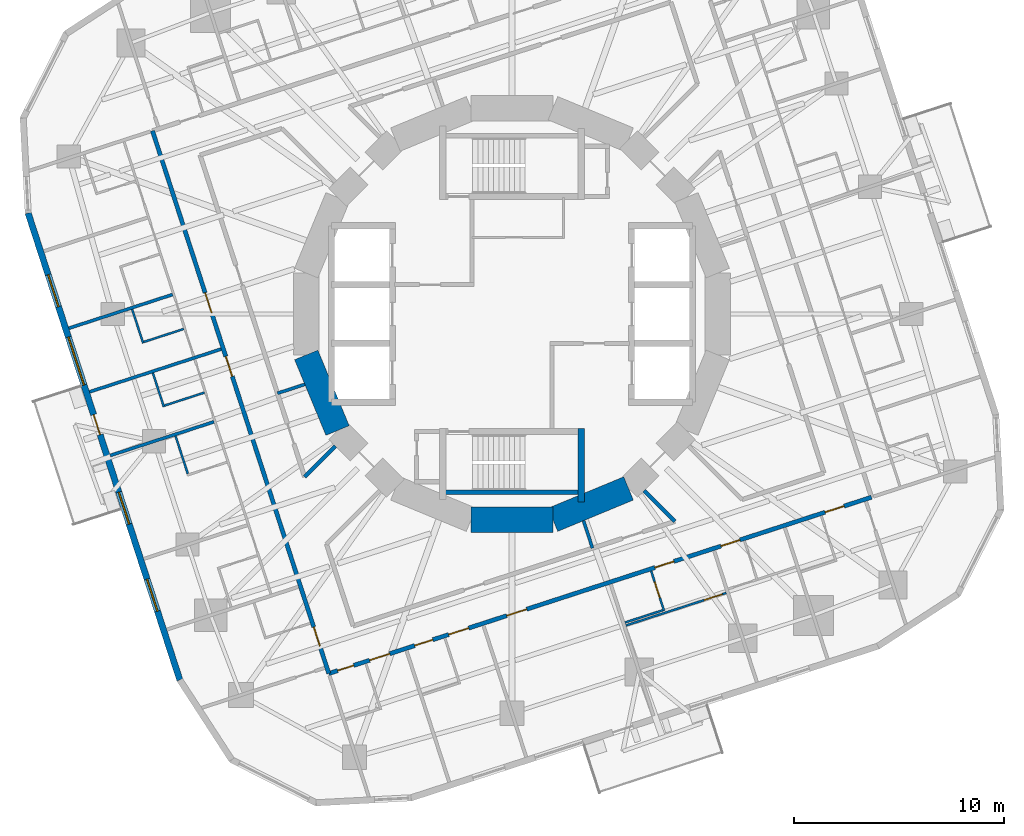
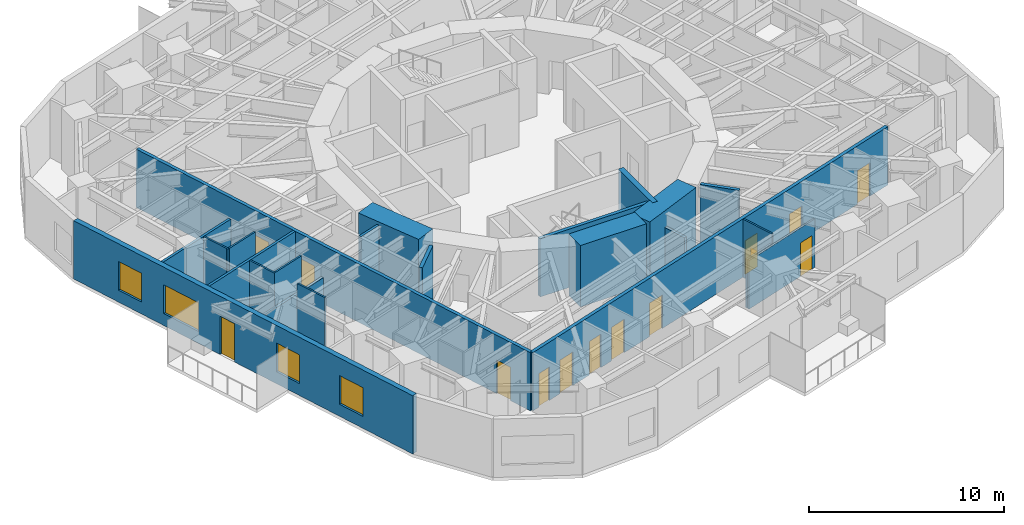
# One storey, part 5 of 13: 23 walls, 14 doors, 4 windows, 18 openings.
"""IFC4 building model written with IfcOpenShell, lengths in metres."""

from ifc_helpers import new_model, si_unit, direction, frame, frame_2d, origin, place, context, subcontext, project, spatial, rectangle, extrude, material, layer, layer_set, type_object, element, fill, save


model = new_model("IFC4")

# Units and contexts
model_context = context("Model", 3, precision=1e-05, world=origin(), true_north=direction((0.0, 1.0)))
body_context = subcontext(model_context, "Body", "Model", "MODEL_VIEW")
ifc_project = project(units=[si_unit("LENGTHUNIT", "METRE"), si_unit("AREAUNIT", "SQUARE_METRE"), si_unit("VOLUMEUNIT", "CUBIC_METRE"), si_unit("PLANEANGLEUNIT", "RADIAN"), si_unit("MASSUNIT", "GRAM", prefix="KILO")], contexts=[model_context])

# Site, building, storey
site_placement = place(None, origin())
site = spatial("IfcSite", under=ifc_project, at=site_placement, CompositionType="ELEMENT")
building_placement = place(site_placement, origin())
building = spatial("IfcBuilding", under=site, at=building_placement, Name="Nakasero Lantern House", CompositionType="ELEMENT")
storey_placement = place(building_placement, frame((0.0, 0.0, 164.89990234375)))
storey = spatial("IfcBuildingStorey", under=building, at=storey_placement, Name="L40", CompositionType="ELEMENT", Elevation=164.89990234375)

# Walls
ifc_material_1 = material(Name="Concrete C50/60", Category="concrete")
ifc_layer_1 = layer(ifc_material_1, 0.300048828125)
ifc_layer_set_1 = layer_set([ifc_layer_1], Name="Core inner wall 300")
wall_type_1 = type_object("IfcWallType", Name="Core inner wall 300", PredefinedType="SHEAR", material=ifc_layer_set_1)
wall_1_placement = place(storey_placement, frame((3.300048828125, -5.449951171875, 0.0), z_axis=(0.0, 0.0, 1.0), x_axis=(0.0, -1.0, 0.0)))
element("IfcWall", 1, at=wall_1_placement, inside=storey, type_object=wall_type_1, Name="Core inner wall L40 SSE", PredefinedType="SHEAR", context=body_context, shape_type="SweptSolid", body=[
    extrude(rectangle(XDim=3.5, YDim=0.300048828125, at=frame_2d((1.75, 0.0))), origin(), (0.0, 0.0, 1.0), 3.85009765625),
])
ifc_material_2 = material(Name="Concrete C50/60", Category="concrete")
ifc_layer_2 = layer(ifc_material_2, 1.199951171875)
ifc_layer_set_2 = layer_set([ifc_layer_2], Name="Core wall 1200")
wall_type_2 = type_object("IfcWallType", Name="Core wall 1200", PredefinedType="SHEAR", material=ifc_layer_set_2)
for number, where, z_axis, x_axis, name in (
    (2, (-9.807861328125, -1.950927734375, 0.0), (0.0, 0.0, 1.0), (0.382690736062, -0.923876507187, 0.0), "Core wall L40 facet 9"),
    (3, (-1.950927734375, -9.807861328125, 0.0), (0.0, 0.0, 1.0), (1.0, 0.0, 0.0), "Core wall L40 facet 12"),
    (4, (1.950927734375, -9.807861328125, 0.0), (0.0, 0.0, 1.0), (0.923876507187, 0.382690736062, 0.0), "Core wall L40 facet 13"),
):
    element("IfcWall", number, at=place(storey_placement, frame(where, z_axis=z_axis, x_axis=x_axis)), inside=storey, type_object=wall_type_2, Name=name, PredefinedType="SHEAR", context=body_context, shape_type="SweptSolid", body=[
        extrude(rectangle(XDim=3.90185546875, YDim=1.199951171875, at=frame_2d((1.950927734375, 0.0))), origin(), (0.0, 0.0, 1.0), 3.85009765625),
    ])

# Wall, openings, doors
ifc_material_3 = material(Name="Blockwork", Category="masonry")
ifc_layer_3 = layer(ifc_material_3, 0.199951171875)
ifc_layer_set_3 = layer_set([ifc_layer_3], Name="Corridor wall 200")
wall_type_3 = type_object("IfcWallType", Name="Corridor wall 200", PredefinedType="PARTITIONING", material=ifc_layer_set_3)
wall_2_placement = place(storey_placement, frame((-17.136962890625, 8.731689453125, 0.0), z_axis=(0.0, 0.0, 1.0), x_axis=(0.309018283835, -0.951056097323, 0.0)))
wall_2 = element("IfcWall", 5, at=wall_2_placement, inside=storey, type_object=wall_type_3, Name="Corridor wall L40 CW2", PredefinedType="PARTITIONING", context=body_context, shape_type="SweptSolid", body=[
    extrude(rectangle(XDim=27.199951171875, YDim=0.199951171875, at=frame_2d((13.60009765625, 0.0))), origin(), (0.0, 0.0, 1.0), 3.650146484375),
])
opening_1_placement = place(wall_2_placement, frame((8.118896484375, 0.0, 0.0)))
opening_1 = element("IfcOpeningElement", 6, at=opening_1_placement, cuts=wall_2, Name="Opening D14", PredefinedType="OPENING", context=body_context, shape_type="SweptSolid", body=[
    extrude(rectangle(XDim=1.0, YDim=2.10009765625, at=frame_2d((0.5, 1.050048828125))), frame((0.0, 0.119873046875, 0.0), z_axis=(0.0, -1.0, 0.0), x_axis=(1.0, 0.0, 0.0)), (0.0, 0.0, 1.0), 0.239990234375),
])
opening_2_placement = place(wall_2_placement, frame((11.30810546875, 0.0, 0.0)))
opening_2 = element("IfcOpeningElement", 7, at=opening_2_placement, cuts=wall_2, Name="Opening D14", PredefinedType="OPENING", context=body_context, shape_type="SweptSolid", body=[
    extrude(rectangle(XDim=1.0, YDim=2.10009765625, at=frame_2d((0.5, 1.050048828125))), frame((0.0, 0.119873046875, 0.0), z_axis=(0.0, -1.0, 0.0), x_axis=(1.0, 0.0, 0.0)), (0.0, 0.0, 1.0), 0.239990234375),
])
opening_3_placement = place(wall_2_placement, frame((24.872314453125, 0.0, 0.0)))
opening_3 = element("IfcOpeningElement", 8, at=opening_3_placement, cuts=wall_2, Name="Opening D01", PredefinedType="OPENING", context=body_context, shape_type="SweptSolid", body=[
    extrude(rectangle(XDim=0.949951171875, YDim=2.10009765625, at=frame_2d((0.47509765625, 1.050048828125))), frame((0.0, 0.119873046875, 0.0), z_axis=(0.0, -1.0, 0.0), x_axis=(1.0, 0.0, 0.0)), (0.0, 0.0, 1.0), 0.239990234375),
])
ifc_material_4 = material(Name="Timber C24", Category="wood")
door_type_1 = type_object("IfcDoorType", Name="Bedroom door FD30S 950", OperationType="SINGLE_SWING_LEFT", PredefinedType="DOOR", material=ifc_material_4)
door_1_placement = place(opening_3_placement, origin())
door_1 = element("IfcDoor", 9, at=door_1_placement, inside=storey, type_object=door_type_1, Name="Door L40 D2-06", OperationType="SINGLE_SWING_RIGHT", OverallHeight=2.10009765625, OverallWidth=0.949951171875, PredefinedType="DOOR", context=body_context, shape_type="SweptSolid", body=[
    extrude(rectangle(XDim=0.949951171875, YDim=2.10009765625, at=frame_2d((0.47509765625, 1.050048828125))), frame((0.0, 0.02490234375, 0.0), z_axis=(0.0, -1.0, 0.0), x_axis=(1.0, 0.0, 0.0)), (0.0, 0.0, 1.0), 0.050048828125),
])
fill(opening_3, door_1)
ifc_material_5 = material(Name="Timber C24", Category="wood")
door_type_2 = type_object("IfcDoorType", Name="Cluster entrance door FD30S 1000", OperationType="SINGLE_SWING_LEFT", PredefinedType="DOOR", material=ifc_material_5)
door_2_placement = place(opening_1_placement, origin())
door_2 = element("IfcDoor", 10, at=door_2_placement, inside=storey, type_object=door_type_2, Name="Door L40 DF2-0", OperationType="SINGLE_SWING_LEFT", OverallHeight=2.10009765625, OverallWidth=1.0, PredefinedType="DOOR", context=body_context, shape_type="SweptSolid", body=[
    extrude(rectangle(XDim=1.0, YDim=2.10009765625, at=frame_2d((0.5, 1.050048828125))), frame((0.0, 0.02490234375, 0.0), z_axis=(0.0, -1.0, 0.0), x_axis=(1.0, 0.0, 0.0)), (0.0, 0.0, 1.0), 0.050048828125),
])
fill(opening_1, door_2)
door_3_placement = place(opening_2_placement, origin())
door_3 = element("IfcDoor", 11, at=door_3_placement, inside=storey, type_object=door_type_2, Name="Door L40 DF2-1", OperationType="SINGLE_SWING_LEFT", OverallHeight=2.10009765625, OverallWidth=1.0, PredefinedType="DOOR", context=body_context, shape_type="SweptSolid", body=[
    extrude(rectangle(XDim=1.0, YDim=2.10009765625, at=frame_2d((0.5, 1.050048828125))), frame((0.0, 0.02490234375, 0.0), z_axis=(0.0, -1.0, 0.0), x_axis=(1.0, 0.0, 0.0)), (0.0, 0.0, 1.0), 0.050048828125),
])
fill(opening_2, door_3)

wall_3_placement = place(storey_placement, frame((-8.731689453125, -17.136962890625, 0.0), z_axis=(0.0, 0.0, 1.0), x_axis=(0.951056097323, 0.309018283835, 0.0)))
wall_3 = element("IfcWall", 12, at=wall_3_placement, inside=storey, type_object=wall_type_3, Name="Corridor wall L40 CW3", PredefinedType="PARTITIONING", context=body_context, shape_type="SweptSolid", body=[
    extrude(rectangle(XDim=27.199951171875, YDim=0.199951171875, at=frame_2d((13.60009765625, 0.0))), origin(), (0.0, 0.0, 1.0), 3.650146484375),
])
opening_4_placement = place(wall_3_placement, frame((0.449951171875, 0.0, 0.0)))
opening_4 = element("IfcOpeningElement", 13, at=opening_4_placement, cuts=wall_3, Name="Opening D15", PredefinedType="OPENING", context=body_context, shape_type="SweptSolid", body=[
    extrude(rectangle(XDim=0.800048828125, YDim=2.10009765625, at=frame_2d((0.39990234375, 1.050048828125))), frame((0.0, 0.119873046875, 0.0), z_axis=(0.0, -1.0, 0.0), x_axis=(1.0, 0.0, 0.0)), (0.0, 0.0, 1.0), 0.239990234375),
])
opening_5_placement = place(wall_3_placement, frame((2.050048828125, 0.0, 0.0)))
opening_5 = element("IfcOpeningElement", 14, at=opening_5_placement, cuts=wall_3, Name="Opening D07", PredefinedType="OPENING", context=body_context, shape_type="SweptSolid", body=[
    extrude(rectangle(XDim=1.0, YDim=2.10009765625, at=frame_2d((0.5, 1.050048828125))), frame((0.0, 0.119873046875, 0.0), z_axis=(0.0, -1.0, 0.0), x_axis=(1.0, 0.0, 0.0)), (0.0, 0.0, 1.0), 0.239990234375),
])
opening_6_placement = place(wall_3_placement, frame((4.3095703125, 0.0, 0.0)))
opening_6 = element("IfcOpeningElement", 15, at=opening_6_placement, cuts=wall_3, Name="Opening D16", PredefinedType="OPENING", context=body_context, shape_type="SweptSolid", body=[
    extrude(rectangle(XDim=0.89990234375, YDim=2.10009765625, at=frame_2d((0.449951171875, 1.050048828125))), frame((0.0, 0.119873046875, 0.0), z_axis=(0.0, -1.0, 0.0), x_axis=(1.0, 0.0, 0.0)), (0.0, 0.0, 1.0), 0.239990234375),
])
opening_7_placement = place(wall_3_placement, frame((6.009521484375, 0.0, 0.0)))
opening_7 = element("IfcOpeningElement", 16, at=opening_7_placement, cuts=wall_3, Name="Opening D07", PredefinedType="OPENING", context=body_context, shape_type="SweptSolid", body=[
    extrude(rectangle(XDim=1.0, YDim=2.10009765625, at=frame_2d((0.5, 1.050048828125))), frame((0.0, 0.119873046875, 0.0), z_axis=(0.0, -1.0, 0.0), x_axis=(1.0, 0.0, 0.0)), (0.0, 0.0, 1.0), 0.239990234375),
])
opening_8_placement = place(wall_3_placement, frame((16.34716796875, 0.0, 0.0)))
opening_8 = element("IfcOpeningElement", 17, at=opening_8_placement, cuts=wall_3, Name="Opening D01", PredefinedType="OPENING", context=body_context, shape_type="SweptSolid", body=[
    extrude(rectangle(XDim=0.949951171875, YDim=2.10009765625, at=frame_2d((0.47509765625, 1.050048828125))), frame((0.0, 0.119873046875, 0.0), z_axis=(0.0, -1.0, 0.0), x_axis=(1.0, 0.0, 0.0)), (0.0, 0.0, 1.0), 0.239990234375),
])
opening_9_placement = place(wall_3_placement, frame((19.653076171875, 0.0, 0.0)))
opening_9 = element("IfcOpeningElement", 18, at=opening_9_placement, cuts=wall_3, Name="Opening D01", PredefinedType="OPENING", context=body_context, shape_type="SweptSolid", body=[
    extrude(rectangle(XDim=0.949951171875, YDim=2.10009765625, at=frame_2d((0.47509765625, 1.050048828125))), frame((0.0, 0.119873046875, 0.0), z_axis=(0.0, -1.0, 0.0), x_axis=(1.0, 0.0, 0.0)), (0.0, 0.0, 1.0), 0.239990234375),
])
opening_10_placement = place(wall_3_placement, frame((24.872314453125, 0.0, 0.0)))
opening_10 = element("IfcOpeningElement", 19, at=opening_10_placement, cuts=wall_3, Name="Opening D01", PredefinedType="OPENING", context=body_context, shape_type="SweptSolid", body=[
    extrude(rectangle(XDim=0.949951171875, YDim=2.10009765625, at=frame_2d((0.47509765625, 1.050048828125))), frame((0.0, 0.119873046875, 0.0), z_axis=(0.0, -1.0, 0.0), x_axis=(1.0, 0.0, 0.0)), (0.0, 0.0, 1.0), 0.239990234375),
])
opening_11_placement = place(wall_3_placement, frame((8.9189453125, 0.0, 0.0)))
opening_11 = element("IfcOpeningElement", 20, at=opening_11_placement, cuts=wall_3, Name="Opening D03", PredefinedType="OPENING", context=body_context, shape_type="SweptSolid", body=[
    extrude(rectangle(XDim=1.0, YDim=2.10009765625, at=frame_2d((0.5, 1.050048828125))), frame((0.0, 0.119873046875, 0.0), z_axis=(0.0, -1.0, 0.0), x_axis=(1.0, 0.0, 0.0)), (0.0, 0.0, 1.0), 0.239990234375),
])
ifc_material_6 = material(Name="Timber C24", Category="wood")
door_type_3 = type_object("IfcDoorType", Name="Accessible WC door 900", OperationType="SINGLE_SWING_RIGHT", PredefinedType="DOOR", material=ifc_material_6)
door_4_placement = place(opening_6_placement, origin())
door_4 = element("IfcDoor", 21, at=door_4_placement, inside=storey, type_object=door_type_3, Name="Door L40 DS3-01", OperationType="SINGLE_SWING_LEFT", OverallHeight=2.10009765625, OverallWidth=0.89990234375, PredefinedType="DOOR", context=body_context, shape_type="SweptSolid", body=[
    extrude(rectangle(XDim=0.89990234375, YDim=2.10009765625, at=frame_2d((0.449951171875, 1.050048828125))), frame((0.0, 0.02490234375, 0.0), z_axis=(0.0, -1.0, 0.0), x_axis=(1.0, 0.0, 0.0)), (0.0, 0.0, 1.0), 0.050048828125),
])
fill(opening_6, door_4)
door_5_placement = place(opening_8_placement, origin())
door_5 = element("IfcDoor", 22, at=door_5_placement, inside=storey, type_object=door_type_1, Name="Door L40 D3-04", OperationType="SINGLE_SWING_RIGHT", OverallHeight=2.10009765625, OverallWidth=0.949951171875, PredefinedType="DOOR", context=body_context, shape_type="SweptSolid", body=[
    extrude(rectangle(XDim=0.949951171875, YDim=2.10009765625, at=frame_2d((0.47509765625, 1.050048828125))), frame((0.0, 0.02490234375, 0.0), z_axis=(0.0, -1.0, 0.0), x_axis=(1.0, 0.0, 0.0)), (0.0, 0.0, 1.0), 0.050048828125),
])
fill(opening_8, door_5)
door_6_placement = place(opening_9_placement, origin())
door_6 = element("IfcDoor", 23, at=door_6_placement, inside=storey, type_object=door_type_1, Name="Door L40 D3-05", OperationType="SINGLE_SWING_RIGHT", OverallHeight=2.10009765625, OverallWidth=0.949951171875, PredefinedType="DOOR", context=body_context, shape_type="SweptSolid", body=[
    extrude(rectangle(XDim=0.949951171875, YDim=2.10009765625, at=frame_2d((0.47509765625, 1.050048828125))), frame((0.0, 0.02490234375, 0.0), z_axis=(0.0, -1.0, 0.0), x_axis=(1.0, 0.0, 0.0)), (0.0, 0.0, 1.0), 0.050048828125),
])
fill(opening_9, door_6)
door_7_placement = place(opening_10_placement, origin())
door_7 = element("IfcDoor", 24, at=door_7_placement, inside=storey, type_object=door_type_1, Name="Door L40 D3-06", OperationType="SINGLE_SWING_RIGHT", OverallHeight=2.10009765625, OverallWidth=0.949951171875, PredefinedType="DOOR", context=body_context, shape_type="SweptSolid", body=[
    extrude(rectangle(XDim=0.949951171875, YDim=2.10009765625, at=frame_2d((0.47509765625, 1.050048828125))), frame((0.0, 0.02490234375, 0.0), z_axis=(0.0, -1.0, 0.0), x_axis=(1.0, 0.0, 0.0)), (0.0, 0.0, 1.0), 0.050048828125),
])
fill(opening_10, door_7)
ifc_material_7 = material(Name="Timber C24", Category="wood")
door_type_4 = type_object("IfcDoorType", Name="Cleaner's store door FD30S 800", OperationType="SINGLE_SWING_LEFT", PredefinedType="DOOR", material=ifc_material_7)
door_8_placement = place(opening_4_placement, origin())
door_8 = element("IfcDoor", 25, at=door_8_placement, inside=storey, type_object=door_type_4, Name="Door L40 DS3-00", OperationType="SINGLE_SWING_LEFT", OverallHeight=2.10009765625, OverallWidth=0.800048828125, PredefinedType="DOOR", context=body_context, shape_type="SweptSolid", body=[
    extrude(rectangle(XDim=0.800048828125, YDim=2.10009765625, at=frame_2d((0.39990234375, 1.050048828125))), frame((0.0, 0.02490234375, 0.0), z_axis=(0.0, -1.0, 0.0), x_axis=(1.0, 0.0, 0.0)), (0.0, 0.0, 1.0), 0.050048828125),
])
fill(opening_4, door_8)
ifc_material_8 = material(Name="Timber C24", Category="wood")
door_type_5 = type_object("IfcDoorType", Name="Lounge door FD30S 1000", OperationType="SINGLE_SWING_LEFT", PredefinedType="DOOR", material=ifc_material_8)
door_9_placement = place(opening_11_placement, origin())
door_9 = element("IfcDoor", 26, at=door_9_placement, inside=storey, type_object=door_type_5, Name="Door L40 DK3", OperationType="SINGLE_SWING_LEFT", OverallHeight=2.10009765625, OverallWidth=1.0, PredefinedType="DOOR", context=body_context, shape_type="SweptSolid", body=[
    extrude(rectangle(XDim=1.0, YDim=2.10009765625, at=frame_2d((0.5, 1.050048828125))), frame((0.0, 0.02490234375, 0.0), z_axis=(0.0, -1.0, 0.0), x_axis=(1.0, 0.0, 0.0)), (0.0, 0.0, 1.0), 0.050048828125),
])
fill(opening_11, door_9)
ifc_material_9 = material(Name="Timber C24", Category="wood")
door_type_6 = type_object("IfcDoorType", Name="Room door FD30S 1000", OperationType="SINGLE_SWING_LEFT", PredefinedType="DOOR", material=ifc_material_9)
door_10_placement = place(opening_5_placement, origin())
door_10 = element("IfcDoor", 27, at=door_10_placement, inside=storey, type_object=door_type_6, Name="Door L40 D3-00", OperationType="SINGLE_SWING_LEFT", OverallHeight=2.10009765625, OverallWidth=1.0, PredefinedType="DOOR", context=body_context, shape_type="SweptSolid", body=[
    extrude(rectangle(XDim=1.0, YDim=2.10009765625, at=frame_2d((0.5, 1.050048828125))), frame((0.0, 0.02490234375, 0.0), z_axis=(0.0, -1.0, 0.0), x_axis=(1.0, 0.0, 0.0)), (0.0, 0.0, 1.0), 0.050048828125),
])
fill(opening_5, door_10)
door_11_placement = place(opening_7_placement, origin())
door_11 = element("IfcDoor", 28, at=door_11_placement, inside=storey, type_object=door_type_6, Name="Door L40 D3-01", OperationType="SINGLE_SWING_LEFT", OverallHeight=2.10009765625, OverallWidth=1.0, PredefinedType="DOOR", context=body_context, shape_type="SweptSolid", body=[
    extrude(rectangle(XDim=1.0, YDim=2.10009765625, at=frame_2d((0.5, 1.050048828125))), frame((0.0, 0.02490234375, 0.0), z_axis=(0.0, -1.0, 0.0), x_axis=(1.0, 0.0, 0.0)), (0.0, 0.0, 1.0), 0.050048828125),
])
fill(opening_7, door_11)

# Walls
for number, where, z_axis, x_axis, name in (
    (29, (-8.420166015625, -6.298828125, 0.0), (0.0, 0.0, 1.0), (-0.707106781187, -0.707106781187, 0.0), "Corridor wall L40 PS10b"),
    (30, (6.298828125, -8.420166015625, 0.0), (0.0, 0.0, 1.0), (0.707106781187, -0.707106781187, 0.0), "Corridor wall L40 PS14b"),
):
    element("IfcWall", number, at=place(storey_placement, frame(where, z_axis=z_axis, x_axis=x_axis)), inside=storey, type_object=wall_type_3, Name=name, PredefinedType="PARTITIONING", context=body_context, shape_type="SweptSolid", body=[
        extrude(rectangle(XDim=2.0712890625, YDim=0.199951171875, at=frame_2d((1.03564453125, 0.0))), origin(), (0.0, 0.0, 1.0), 3.650146484375),
    ])
ifc_material_10 = material(Name="Blockwork", Category="masonry")
ifc_layer_4 = layer(ifc_material_10, 0.10009765625)
ifc_layer_set_4 = layer_set([ifc_layer_4], Name="En-suite wall 100")
wall_type_4 = type_object("IfcWallType", Name="En-suite wall 100", PredefinedType="PARTITIONING", material=ifc_layer_set_4)
wall_4_placement = place(storey_placement, frame((-15.645263671875, -0.713623046875, 0.0), z_axis=(0.0, 0.0, 1.0), x_axis=(-0.951062257173, -0.308999325213, 0.0)))
element("IfcWall", 31, at=wall_4_placement, inside=storey, type_object=wall_type_4, Name="En-suite wall L40 SS2-0", PredefinedType="PARTITIONING", context=body_context, shape_type="SweptSolid", body=[
    extrude(rectangle(XDim=2.10009765625, YDim=0.10009765625, at=frame_2d((1.050048828125, 0.0))), origin(), (0.0, 0.0, 1.0), 3.650146484375),
])
wall_5_placement = place(storey_placement, frame((-18.104736328125, 0.22216796875, 0.0), z_axis=(0.0, 0.0, 1.0), x_axis=(0.309066587596, -0.951040401051, 0.0)))
element("IfcWall", 32, at=wall_5_placement, inside=storey, type_object=wall_type_4, Name="En-suite wall L40 SE2-0", PredefinedType="PARTITIONING", context=body_context, shape_type="SweptSolid", body=[
    extrude(rectangle(XDim=1.699951171875, YDim=0.10009765625, at=frame_2d((0.85009765625, 0.0))), origin(), (0.0, 0.0, 1.0), 3.650146484375),
])
wall_6_placement = place(storey_placement, frame((-14.65966796875, -3.74658203125, 0.0), z_axis=(0.0, 0.0, 1.0), x_axis=(-0.951062257173, -0.308999325213, 0.0)))
element("IfcWall", 33, at=wall_6_placement, inside=storey, type_object=wall_type_4, Name="En-suite wall L40 SS2-1", PredefinedType="PARTITIONING", context=body_context, shape_type="SweptSolid", body=[
    extrude(rectangle(XDim=2.10009765625, YDim=0.10009765625, at=frame_2d((1.050048828125, 0.0))), origin(), (0.0, 0.0, 1.0), 3.650146484375),
])
wall_7_placement = place(storey_placement, frame((-17.119384765625, -2.810791015625, 0.0), z_axis=(0.0, 0.0, 1.0), x_axis=(0.309066587596, -0.951040401051, 0.0)))
element("IfcWall", 34, at=wall_7_placement, inside=storey, type_object=wall_type_4, Name="En-suite wall L40 SE2-1", PredefinedType="PARTITIONING", context=body_context, shape_type="SweptSolid", body=[
    extrude(rectangle(XDim=1.699951171875, YDim=0.10009765625, at=frame_2d((0.85009765625, 0.0))), origin(), (0.0, 0.0, 1.0), 3.650146484375),
])
wall_8_placement = place(storey_placement, frame((-16.038818359375, -5.812744140625, 0.0), z_axis=(0.0, 0.0, 1.0), x_axis=(0.309010533671, -0.951058615481, 0.0)))
element("IfcWall", 35, at=wall_8_placement, inside=storey, type_object=wall_type_4, Name="En-suite wall L40 EE2-04", PredefinedType="PARTITIONING", context=body_context, shape_type="SweptSolid", body=[
    extrude(rectangle(XDim=1.900146484375, YDim=0.10009765625, at=frame_2d((0.9501953125, 0.0))), origin(), (0.0, 0.0, 1.0), 3.650146484375),
])

# Wall, opening, door
wall_9_placement = place(storey_placement, frame((6.632080078125, -12.25, 0.0), z_axis=(0.0, 0.0, 1.0), x_axis=(0.309077791808, -0.951036759863, 0.0)))
wall_9 = element("IfcWall", 36, at=wall_9_placement, inside=storey, type_object=wall_type_4, Name="En-suite wall L40 ES3-04", PredefinedType="PARTITIONING", context=body_context, shape_type="SweptSolid", body=[
    extrude(rectangle(XDim=2.0, YDim=0.10009765625, at=frame_2d((1.0, 0.0))), origin(), (0.0, 0.0, 1.0), 3.650146484375),
])
opening_12_placement = place(wall_9_placement, frame((0.550048828125, 0.0, 0.0)))
opening_12 = element("IfcOpeningElement", 37, at=opening_12_placement, cuts=wall_9, Name="Opening D02", PredefinedType="OPENING", context=body_context, shape_type="SweptSolid", body=[
    extrude(rectangle(XDim=0.800048828125, YDim=2.10009765625, at=frame_2d((0.39990234375, 1.050048828125))), frame((0.0, 0.070068359375, 0.0), z_axis=(0.0, -1.0, 0.0), x_axis=(1.0, 0.0, 0.0)), (0.0, 0.0, 1.0), 0.14013671875),
])
ifc_material_11 = material(Name="Timber C24", Category="wood")
door_type_7 = type_object("IfcDoorType", Name="En-suite door 800", OperationType="SINGLE_SWING_RIGHT", PredefinedType="DOOR", material=ifc_material_11)
door_12_placement = place(opening_12_placement, origin())
door_12 = element("IfcDoor", 38, at=door_12_placement, inside=storey, type_object=door_type_7, Name="Door L40 DE3-04", OperationType="SINGLE_SWING_LEFT", OverallHeight=2.10009765625, OverallWidth=0.800048828125, PredefinedType="DOOR", context=body_context, shape_type="SweptSolid", body=[
    extrude(rectangle(XDim=0.800048828125, YDim=2.10009765625, at=frame_2d((0.39990234375, 1.050048828125))), frame((0.0, 0.02490234375, 0.0), z_axis=(0.0, -1.0, 0.0), x_axis=(1.0, 0.0, 0.0)), (0.0, 0.0, 1.0), 0.050048828125),
])
fill(opening_12, door_12)

# Wall
wall_10_placement = place(storey_placement, frame((5.380126953125, -14.707275390625, 0.0), z_axis=(0.0, 0.0, 1.0), x_axis=(0.951058615481, 0.309010533671, 0.0)))
element("IfcWall", 39, at=wall_10_placement, inside=storey, type_object=wall_type_4, Name="En-suite wall L40 EE3-04", PredefinedType="PARTITIONING", context=body_context, shape_type="SweptSolid", body=[
    extrude(rectangle(XDim=1.900146484375, YDim=0.10009765625, at=frame_2d((0.9501953125, 0.0))), origin(), (0.0, 0.0, 1.0), 3.037841796875),
])

# Wall, opening, door
wall_11_placement = place(storey_placement, frame((5.426513671875, -14.849853515625, 0.0), z_axis=(0.0, 0.0, 1.0), x_axis=(0.951057958488, 0.309012555725, 0.0)))
wall_11 = element("IfcWall", 40, at=wall_11_placement, inside=storey, type_object=wall_type_4, Name="En-suite wall L40 EL3-04", PredefinedType="PARTITIONING", context=body_context, shape_type="SweptSolid", body=[
    extrude(rectangle(XDim=5.03125, YDim=0.10009765625, at=frame_2d((2.515625, 0.0))), origin(), (0.0, 0.0, 1.0), 3.037841796875),
])
opening_13_placement = place(wall_11_placement, frame((3.93115234375, 0.0, 0.0)))
opening_13 = element("IfcOpeningElement", 41, at=opening_13_placement, cuts=wall_11, Name="Opening D17", PredefinedType="OPENING", context=body_context, shape_type="SweptSolid", body=[
    extrude(rectangle(XDim=0.89990234375, YDim=2.10009765625, at=frame_2d((0.449951171875, 1.050048828125))), frame((0.0, 0.070068359375, 0.0), z_axis=(0.0, -1.0, 0.0), x_axis=(1.0, 0.0, 0.0)), (0.0, 0.0, 1.0), 0.14013671875),
])
ifc_material_12 = material(Name="Timber C24", Category="wood")
door_type_8 = type_object("IfcDoorType", Name="Bedroom door FD30S 900", OperationType="SINGLE_SWING_LEFT", PredefinedType="DOOR", material=ifc_material_12)
door_13_placement = place(opening_13_placement, origin())
door_13 = element("IfcDoor", 42, at=door_13_placement, inside=storey, type_object=door_type_8, Name="Door L40 DL3-04", OperationType="SINGLE_SWING_RIGHT", OverallHeight=2.10009765625, OverallWidth=0.89990234375, PredefinedType="DOOR", context=body_context, shape_type="SweptSolid", body=[
    extrude(rectangle(XDim=0.89990234375, YDim=2.10009765625, at=frame_2d((0.449951171875, 1.050048828125))), frame((0.0, 0.02490234375, 0.0), z_axis=(0.0, -1.0, 0.0), x_axis=(1.0, 0.0, 0.0)), (0.0, 0.0, 1.0), 0.050048828125),
])
fill(opening_13, door_13)

# Wall, openings, door, windows
ifc_material_13 = material(Name="Aluminium rainscreen on blockwork", Category="masonry")
ifc_layer_5 = layer(ifc_material_13, 0.300048828125)
ifc_layer_set_5 = layer_set([ifc_layer_5], Name="Facade wall 300")
wall_type_5 = type_object("IfcWallType", Name="Facade wall 300", PredefinedType="SOLIDWALL", material=ifc_layer_set_5)
wall_12_placement = place(storey_placement, frame((-23.064697265625, 4.807861328125, 0.0), z_axis=(0.0, 0.0, 1.0), x_axis=(0.30902591324, -0.951053618334, 0.0)))
wall_12 = element("IfcWall", 43, at=wall_12_placement, inside=storey, type_object=wall_type_5, Name="Facade wall L40 FW2S", PredefinedType="SOLIDWALL", context=body_context, shape_type="SweptSolid", body=[
    extrude(rectangle(XDim=23.39990234375, YDim=0.300048828125, at=frame_2d((11.699951171875, 0.0))), origin(), (0.0, 0.0, 1.0), 3.650146484375),
])
opening_14_placement = place(wall_12_placement, frame((3.089111328125, 0.0, 0.75)))
opening_14 = element("IfcOpeningElement", 44, at=opening_14_placement, cuts=wall_12, Name="Opening W01", PredefinedType="OPENING", context=body_context, shape_type="SweptSolid", body=[
    extrude(rectangle(XDim=1.60009765625, YDim=1.800048828125, at=frame_2d((0.800048828125, 0.89990234375))), frame((0.0, 0.169921875, 0.0), z_axis=(0.0, -1.0, 0.0), x_axis=(1.0, 0.0, 0.0)), (0.0, 0.0, 1.0), 0.340087890625),
])
opening_15_placement = place(wall_12_placement, frame((13.987548828125, 0.0, 0.75)))
opening_15 = element("IfcOpeningElement", 45, at=opening_15_placement, cuts=wall_12, Name="Opening W01", PredefinedType="OPENING", context=body_context, shape_type="SweptSolid", body=[
    extrude(rectangle(XDim=1.60009765625, YDim=1.800048828125, at=frame_2d((0.800048828125, 0.89990234375))), frame((0.0, 0.169921875, 0.0), z_axis=(0.0, -1.0, 0.0), x_axis=(1.0, 0.0, 0.0)), (0.0, 0.0, 1.0), 0.340087890625),
])
opening_16_placement = place(wall_12_placement, frame((18.350341796875, 0.0, 0.75)))
opening_16 = element("IfcOpeningElement", 46, at=opening_16_placement, cuts=wall_12, Name="Opening W01", PredefinedType="OPENING", context=body_context, shape_type="SweptSolid", body=[
    extrude(rectangle(XDim=1.60009765625, YDim=1.800048828125, at=frame_2d((0.800048828125, 0.89990234375))), frame((0.0, 0.169921875, 0.0), z_axis=(0.0, -1.0, 0.0), x_axis=(1.0, 0.0, 0.0)), (0.0, 0.0, 1.0), 0.340087890625),
])
opening_17_placement = place(wall_12_placement, frame((6.21337890625, 0.0, 0.75)))
opening_17 = element("IfcOpeningElement", 47, at=opening_17_placement, cuts=wall_12, Name="Opening W03", PredefinedType="OPENING", context=body_context, shape_type="SweptSolid", body=[
    extrude(rectangle(XDim=2.39990234375, YDim=1.800048828125, at=frame_2d((1.199951171875, 0.89990234375))), frame((0.0, 0.169921875, 0.0), z_axis=(0.0, -1.0, 0.0), x_axis=(1.0, 0.0, 0.0)), (0.0, 0.0, 1.0), 0.340087890625),
])
opening_18_placement = place(wall_12_placement, frame((10.1025390625, 0.0, 0.0)))
opening_18 = element("IfcOpeningElement", 48, at=opening_18_placement, cuts=wall_12, Name="Opening D04", PredefinedType="OPENING", context=body_context, shape_type="SweptSolid", body=[
    extrude(rectangle(XDim=1.0, YDim=2.39990234375, at=frame_2d((0.5, 1.199951171875))), frame((0.0, 0.169921875, 0.0), z_axis=(0.0, -1.0, 0.0), x_axis=(1.0, 0.0, 0.0)), (0.0, 0.0, 1.0), 0.340087890625),
])
ifc_material_14 = material(Name="Aluminium 6063-T6 and glass", Category="aluminium")
door_type_9 = type_object("IfcDoorType", Name="Balcony door 1000x2400", OperationType="SINGLE_SWING_RIGHT", PredefinedType="DOOR", material=ifc_material_14)
door_14_placement = place(opening_18_placement, origin())
door_14 = element("IfcDoor", 49, at=door_14_placement, inside=storey, type_object=door_type_9, Name="Balcony door L40 DB2", OperationType="SINGLE_SWING_RIGHT", OverallHeight=2.39990234375, OverallWidth=1.0, PredefinedType="DOOR", context=body_context, shape_type="SweptSolid", body=[
    extrude(rectangle(XDim=1.0, YDim=2.39990234375, at=frame_2d((0.5, 1.199951171875))), frame((0.0, 0.02490234375, 0.0), z_axis=(0.0, -1.0, 0.0), x_axis=(1.0, 0.0, 0.0)), (0.0, 0.0, 1.0), 0.050048828125),
])
fill(opening_18, door_14)
ifc_material_15 = material(Name="Aluminium 6063-T6 and glass", Category="aluminium")
window_type_1 = type_object("IfcWindowType", Name="Bedroom window 1600x1800", PartitioningType="SINGLE_PANEL", PredefinedType="WINDOW", material=ifc_material_15)
window_1_placement = place(opening_14_placement, origin())
window_1 = element("IfcWindow", 50, at=window_1_placement, inside=storey, type_object=window_type_1, Name="Window L40 WN2-01", OverallHeight=1.800048828125, OverallWidth=1.60009765625, PartitioningType="SINGLE_PANEL", PredefinedType="WINDOW", context=body_context, shape_type="SweptSolid", body=[
    extrude(rectangle(XDim=1.60009765625, YDim=1.800048828125, at=frame_2d((0.800048828125, 0.89990234375))), frame((0.0, 0.030029296875, 0.0), z_axis=(0.0, -1.0, 0.0), x_axis=(1.0, 0.0, 0.0)), (0.0, 0.0, 1.0), 0.06005859375),
])
fill(opening_14, window_1)
window_2_placement = place(opening_15_placement, origin())
window_2 = element("IfcWindow", 51, at=window_2_placement, inside=storey, type_object=window_type_1, Name="Window L40 WN2-04", OverallHeight=1.800048828125, OverallWidth=1.60009765625, PartitioningType="SINGLE_PANEL", PredefinedType="WINDOW", context=body_context, shape_type="SweptSolid", body=[
    extrude(rectangle(XDim=1.60009765625, YDim=1.800048828125, at=frame_2d((0.800048828125, 0.89990234375))), frame((0.0, 0.030029296875, 0.0), z_axis=(0.0, -1.0, 0.0), x_axis=(1.0, 0.0, 0.0)), (0.0, 0.0, 1.0), 0.06005859375),
])
fill(opening_15, window_2)
window_3_placement = place(opening_16_placement, origin())
window_3 = element("IfcWindow", 52, at=window_3_placement, inside=storey, type_object=window_type_1, Name="Window L40 WN2-05", OverallHeight=1.800048828125, OverallWidth=1.60009765625, PartitioningType="SINGLE_PANEL", PredefinedType="WINDOW", context=body_context, shape_type="SweptSolid", body=[
    extrude(rectangle(XDim=1.60009765625, YDim=1.800048828125, at=frame_2d((0.800048828125, 0.89990234375))), frame((0.0, 0.030029296875, 0.0), z_axis=(0.0, -1.0, 0.0), x_axis=(1.0, 0.0, 0.0)), (0.0, 0.0, 1.0), 0.06005859375),
])
fill(opening_16, window_3)
ifc_material_16 = material(Name="Aluminium 6063-T6 and glass", Category="aluminium")
window_type_2 = type_object("IfcWindowType", Name="Lounge window 2400x1800", PartitioningType="SINGLE_PANEL", PredefinedType="WINDOW", material=ifc_material_16)
window_4_placement = place(opening_17_placement, origin())
window_4 = element("IfcWindow", 53, at=window_4_placement, inside=storey, type_object=window_type_2, Name="Window L40 WK2", OverallHeight=1.800048828125, OverallWidth=2.39990234375, PartitioningType="SINGLE_PANEL", PredefinedType="WINDOW", context=body_context, shape_type="SweptSolid", body=[
    extrude(rectangle(XDim=2.39990234375, YDim=1.800048828125, at=frame_2d((1.199951171875, 0.89990234375))), frame((0.0, 0.030029296875, 0.0), z_axis=(0.0, -1.0, 0.0), x_axis=(1.0, 0.0, 0.0)), (0.0, 0.0, 1.0), 0.06005859375),
])
fill(opening_17, window_4)

# Walls
ifc_material_17 = material(Name="Blockwork", Category="masonry")
ifc_layer_6 = layer(ifc_material_17, 0.199951171875)
ifc_layer_set_6 = layer_set([ifc_layer_6], Name="Fire lobby wall 200")
wall_type_6 = type_object("IfcWallType", Name="Fire lobby wall 200", PredefinedType="PARTITIONING", material=ifc_layer_set_6)
wall_13_placement = place(storey_placement, frame((-3.300048828125, -8.5, 0.0), z_axis=(0.0, 0.0, 1.0), x_axis=(1.0, 0.0, 0.0)))
element("IfcWall", 54, at=wall_13_placement, inside=storey, type_object=wall_type_6, Name="Fire lobby wall L40 W-STS", PredefinedType="PARTITIONING", context=body_context, shape_type="SweptSolid", body=[
    extrude(rectangle(XDim=6.60009765625, YDim=0.199951171875, at=frame_2d((3.300048828125, 0.0))), origin(), (0.0, 0.0, 1.0), 3.650146484375),
])
ifc_material_18 = material(Name="Blockwork", Category="masonry")
ifc_layer_7 = layer(ifc_material_18, 0.14990234375)
ifc_layer_set_7 = layer_set([ifc_layer_7], Name="Party wall 150")
wall_type_7 = type_object("IfcWallType", Name="Party wall 150", PredefinedType="PARTITIONING", material=ifc_layer_set_7)
wall_14_placement = place(storey_placement, frame((-16.17822265625, 0.927001953125, 0.0), z_axis=(0.0, 0.0, 1.0), x_axis=(-0.951055112834, -0.309021313752, 0.0)))
element("IfcWall", 55, at=wall_14_placement, inside=storey, type_object=wall_type_7, Name="Party wall L40 PW2-02", PredefinedType="PARTITIONING", context=body_context, shape_type="SweptSolid", body=[
    extrude(rectangle(XDim=5.2001953125, YDim=0.14990234375, at=frame_2d((2.60009765625, 0.0))), origin(), (0.0, 0.0, 1.0), 3.650146484375),
])
wall_15_placement = place(storey_placement, frame((-13.861328125, -1.67333984375, 0.0), z_axis=(0.0, 0.0, 1.0), x_axis=(-0.951056628375, -0.309016649428, 0.0)))
element("IfcWall", 56, at=wall_15_placement, inside=storey, type_object=wall_type_7, Name="Party wall L40 PW2-03", PredefinedType="PARTITIONING", context=body_context, shape_type="SweptSolid", body=[
    extrude(rectangle(XDim=6.60009765625, YDim=0.14990234375, at=frame_2d((3.300048828125, 0.0))), origin(), (0.0, 0.0, 1.0), 3.650146484375),
])
wall_16_placement = place(storey_placement, frame((-14.207275390625, -5.138916015625, 0.0), z_axis=(0.0, 0.0, 1.0), x_axis=(-0.951055112834, -0.309021313752, 0.0)))
element("IfcWall", 57, at=wall_16_placement, inside=storey, type_object=wall_type_7, Name="Party wall L40 PW2-04", PredefinedType="PARTITIONING", context=body_context, shape_type="SweptSolid", body=[
    extrude(rectangle(XDim=5.2001953125, YDim=0.14990234375, at=frame_2d((2.60009765625, 0.0))), origin(), (0.0, 0.0, 1.0), 2.966552734375),
])
wall_17_placement = place(storey_placement, frame((-11.17919921875, -3.779541015625, 0.0), z_axis=(0.0, 0.0, 1.0), x_axis=(0.951077243429, 0.308953195535, 0.0)))
element("IfcWall", 58, at=wall_17_placement, inside=storey, type_object=wall_type_7, Name="Party wall L40 IM2", PredefinedType="PARTITIONING", context=body_context, shape_type="SweptSolid", body=[
    extrude(rectangle(XDim=1.37109375, YDim=0.14990234375, at=frame_2d((0.685546875, 0.0))), origin(), (0.0, 0.0, 1.0), 3.650146484375),
])
wall_18_placement = place(storey_placement, frame((3.836669921875, -11.16064453125, 0.0), z_axis=(0.0, 0.0, 1.0), x_axis=(-0.309138236978, 0.951017113641, 0.0)))
element("IfcWall", 59, at=wall_18_placement, inside=storey, type_object=wall_type_7, Name="Party wall L40 IM3", PredefinedType="PARTITIONING", context=body_context, shape_type="SweptSolid", body=[
    extrude(rectangle(XDim=1.375732421875, YDim=0.14990234375, at=frame_2d((0.68798828125, 0.0))), origin(), (0.0, 0.0, 1.0), 2.809326171875),
])

save(model, "model.ifc")
